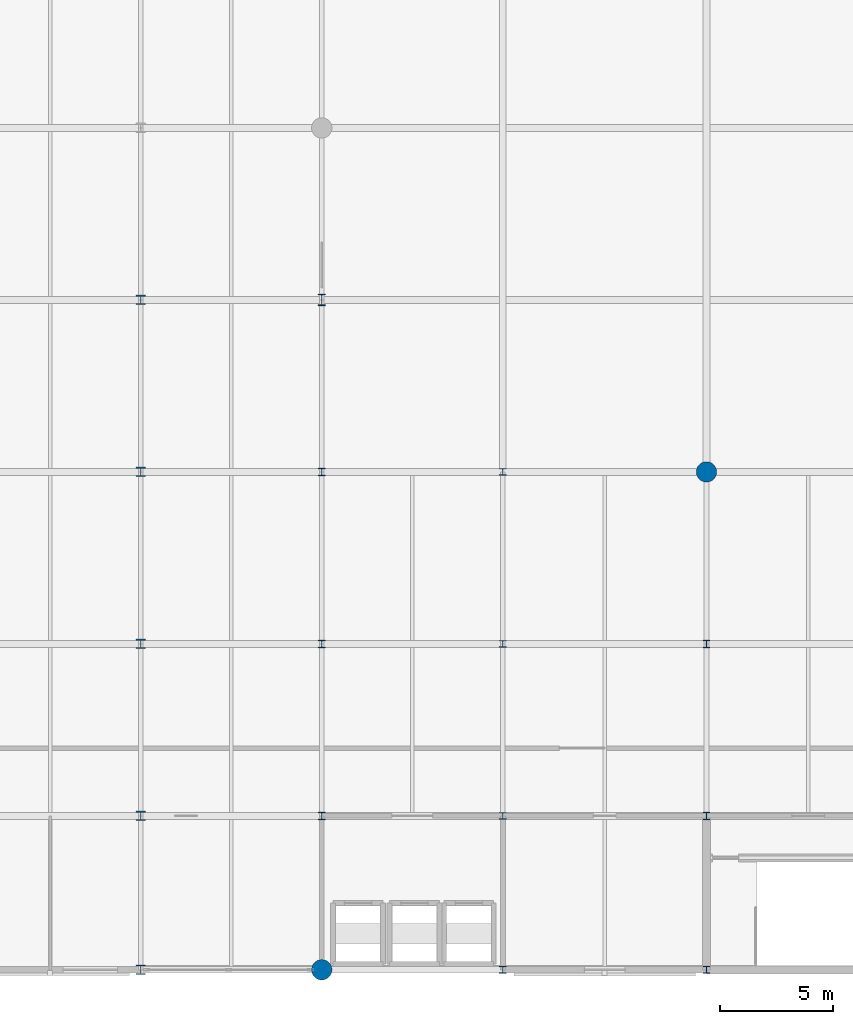
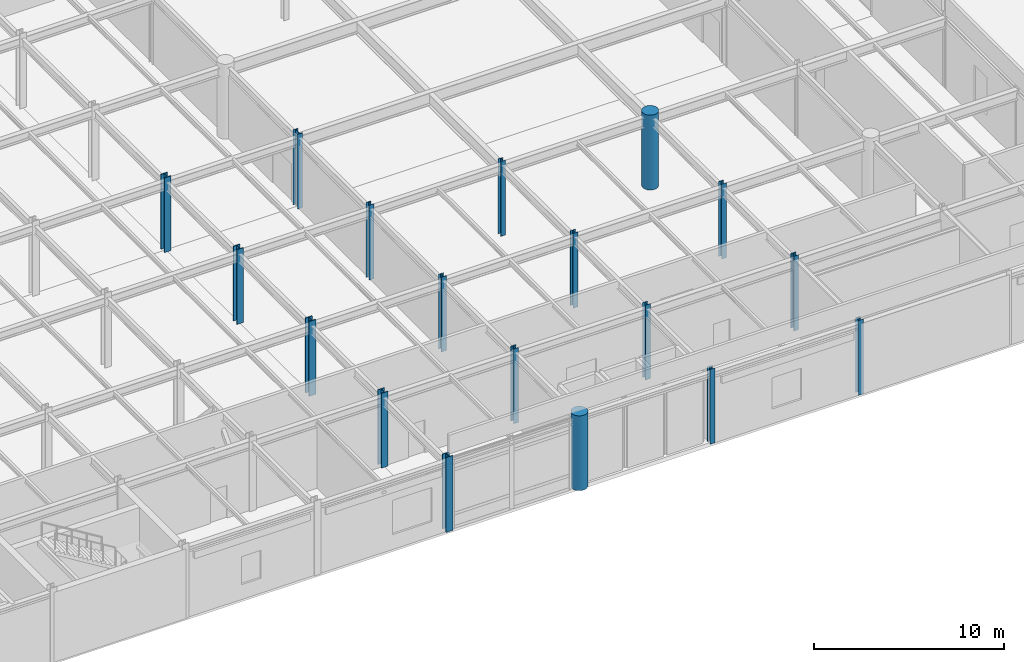
# One storey, part 5 of 43: 18 columns.
"""IFC4 building model written with IfcOpenShell, lengths in metres."""

from ifc_helpers import new_model, si_unit, direction, frame, origin, origin_2d, place, context, subcontext, project, spatial, circle, i_section, extrude, material, material_profile, profile_set, type_object, element, save


model = new_model("IFC4")

# Units and contexts
model_context = context("Model", 3, precision=1e-05, world=origin(), true_north=direction((0.0, 1.0)))
body_context = subcontext(model_context, "Body", "Model", "MODEL_VIEW")
ifc_project = project(units=[si_unit("LENGTHUNIT", "METRE"), si_unit("AREAUNIT", "SQUARE_METRE"), si_unit("VOLUMEUNIT", "CUBIC_METRE"), si_unit("PLANEANGLEUNIT", "RADIAN"), si_unit("MASSUNIT", "GRAM", prefix="KILO")], contexts=[model_context])

# Site, building, storey
site_placement = place(None, origin())
site = spatial("IfcSite", under=ifc_project, at=site_placement, CompositionType="ELEMENT")
building_placement = place(site_placement, origin())
building = spatial("IfcBuilding", under=site, at=building_placement, Name="Shalkamar Park Central Library", CompositionType="ELEMENT")
storey_placement = place(building_placement, frame((0.0, 0.0, 15.60009765625)))
storey = spatial("IfcBuildingStorey", under=building, at=storey_placement, Name="L04", CompositionType="ELEMENT", Elevation=15.60009765625)

# Columns
ifc_material_1 = material(Name="Concrete C40/50", Category="concrete")
ifc_material_profile_1 = material_profile(ifc_material_1, circle(Radius=0.449951171875, at=origin_2d()), Name="RC D900")
ifc_profile_set_1 = profile_set([ifc_material_profile_1], Name="Concrete C40/50")
column_type_1 = type_object("IfcColumnType", Name="Column Concrete RCD900", PredefinedType="COLUMN", material=ifc_profile_set_1)
for number, where, z_axis, x_axis, name in (
    (1, (229.0, 248.39990234375, 0.0), (0.0, 0.0, 1.0), (1.0, 0.0, 0.0), "Column 15/B (L04)"),
    (2, (246.0, 270.39990234375, 0.0), (0.0, 0.0, 1.0), (1.0, 0.0, 0.0), "Column 17/E (L04)"),
):
    element("IfcColumn", number, at=place(storey_placement, frame(where, z_axis=z_axis, x_axis=x_axis)), inside=storey, type_object=column_type_1, Name=name, PredefinedType="COLUMN", context=body_context, shape_type="SweptSolid", body=[
        extrude(circle(Radius=0.449951171875, at=origin_2d()), origin(), (0.0, 0.0, 1.0), 4.7998046875),
    ])
ifc_material_2 = material(Name="Steel S355", Category="steel")
ifc_material_profile_2 = material_profile(ifc_material_2, i_section(OverallWidth=0.406005859375, OverallDepth=0.416015625, WebThickness=0.02978515625, FlangeThickness=0.048095703125, FilletRadius=0.014892578125, at=origin_2d()), Name="HD 400x382")
ifc_profile_set_2 = profile_set([ifc_material_profile_2], Name="Steel S355")
column_type_2 = type_object("IfcColumnType", Name="Column Steel HD400x382", PredefinedType="COLUMN", material=ifc_profile_set_2)
for number, where, z_axis, x_axis, name in (
    (3, (221.0, 248.39990234375, 0.0), (0.0, 0.0, 1.0), (1.0, 0.0, 0.0), "Column 14/B (L04)"),
    (4, (221.0, 255.199951171875, 0.0), (0.0, 0.0, 1.0), (1.0, 0.0, 0.0), "Column 14/C (L04)"),
    (5, (221.0, 262.800048828125, 0.0), (0.0, 0.0, 1.0), (1.0, 0.0, 0.0), "Column 14/D (L04)"),
    (6, (221.0, 270.39990234375, 0.0), (0.0, 0.0, 1.0), (1.0, 0.0, 0.0), "Column 14/E (L04)"),
    (7, (221.0, 278.0, 0.0), (0.0, 0.0, 1.0), (1.0, 0.0, 0.0), "Column 14/F (L04)"),
):
    element("IfcColumn", number, at=place(storey_placement, frame(where, z_axis=z_axis, x_axis=x_axis)), inside=storey, type_object=column_type_2, Name=name, PredefinedType="COLUMN", context=body_context, shape_type="SweptSolid", body=[
        extrude(i_section(OverallWidth=0.406005859375, OverallDepth=0.416015625, WebThickness=0.02978515625, FlangeThickness=0.048095703125, FilletRadius=0.014892578125, at=origin_2d()), origin(), (0.0, 0.0, 1.0), 4.7998046875),
    ])
ifc_material_profile_3 = material_profile(ifc_material_2, i_section(OverallWidth=0.300048828125, OverallDepth=0.300048828125, WebThickness=0.010986328125, FlangeThickness=0.01904296875, FilletRadius=0.027099609375, at=origin_2d()), Name="HEB 300")
ifc_profile_set_3 = profile_set([ifc_material_profile_3], Name="Steel S355")
column_type_3 = type_object("IfcColumnType", Name="Column Steel HEB300", PredefinedType="COLUMN", material=ifc_profile_set_3)
for number, where, z_axis, x_axis, name in (
    (8, (237.0, 248.39990234375, 0.0), (0.0, 0.0, 1.0), (1.0, 0.0, 0.0), "Column 16/B (L04)"),
    (9, (237.0, 255.199951171875, 0.0), (0.0, 0.0, 1.0), (1.0, 0.0, 0.0), "Column 16/C (L04)"),
    (10, (237.0, 262.800048828125, 0.0), (0.0, 0.0, 1.0), (1.0, 0.0, 0.0), "Column 16/D (L04)"),
    (11, (237.0, 270.39990234375, 0.0), (0.0, 0.0, 1.0), (1.0, 0.0, 0.0), "Column 16/E (L04)"),
):
    element("IfcColumn", number, at=place(storey_placement, frame(where, z_axis=z_axis, x_axis=x_axis)), inside=storey, type_object=column_type_3, Name=name, PredefinedType="COLUMN", context=body_context, shape_type="SweptSolid", body=[
        extrude(i_section(OverallWidth=0.300048828125, OverallDepth=0.300048828125, WebThickness=0.010986328125, FlangeThickness=0.01904296875, FilletRadius=0.027099609375, at=origin_2d()), origin(), (0.0, 0.0, 1.0), 4.7998046875),
    ])
ifc_material_profile_4 = material_profile(ifc_material_2, i_section(OverallWidth=0.300048828125, OverallDepth=0.320068359375, WebThickness=0.011474609375, FlangeThickness=0.0205078125, FilletRadius=0.027099609375, at=origin_2d()), Name="HEB 320")
ifc_profile_set_4 = profile_set([ifc_material_profile_4], Name="Steel S355")
column_type_4 = type_object("IfcColumnType", Name="Column Steel HEB320", PredefinedType="COLUMN", material=ifc_profile_set_4)
for number, where, z_axis, x_axis, name in (
    (12, (229.0, 255.199951171875, 0.0), (0.0, 0.0, 1.0), (1.0, 0.0, 0.0), "Column 15/C (L04)"),
    (13, (229.0, 262.800048828125, 0.0), (0.0, 0.0, 1.0), (1.0, 0.0, 0.0), "Column 15/D (L04)"),
    (14, (229.0, 270.39990234375, 0.0), (0.0, 0.0, 1.0), (1.0, 0.0, 0.0), "Column 15/E (L04)"),
    (15, (246.0, 248.39990234375, 0.0), (0.0, 0.0, 1.0), (1.0, 0.0, 0.0), "Column 17/B (L04)"),
    (16, (246.0, 255.199951171875, 0.0), (0.0, 0.0, 1.0), (1.0, 0.0, 0.0), "Column 17/C (L04)"),
    (17, (246.0, 262.800048828125, 0.0), (0.0, 0.0, 1.0), (1.0, 0.0, 0.0), "Column 17/D (L04)"),
):
    element("IfcColumn", number, at=place(storey_placement, frame(where, z_axis=z_axis, x_axis=x_axis)), inside=storey, type_object=column_type_4, Name=name, PredefinedType="COLUMN", context=body_context, shape_type="SweptSolid", body=[
        extrude(i_section(OverallWidth=0.300048828125, OverallDepth=0.320068359375, WebThickness=0.011474609375, FlangeThickness=0.0205078125, FilletRadius=0.027099609375, at=origin_2d()), origin(), (0.0, 0.0, 1.0), 4.7998046875),
    ])
ifc_material_profile_5 = material_profile(ifc_material_2, i_section(OverallWidth=0.300048828125, OverallDepth=0.5, WebThickness=0.014404296875, FlangeThickness=0.028076171875, FilletRadius=0.027099609375, at=origin_2d()), Name="HEB 500")
ifc_profile_set_5 = profile_set([ifc_material_profile_5], Name="Steel S355")
column_type_5 = type_object("IfcColumnType", Name="Column Steel HEB500", PredefinedType="COLUMN", material=ifc_profile_set_5)
column_placement = place(storey_placement, frame((229.0, 278.0, 0.0), z_axis=(0.0, 0.0, 1.0), x_axis=(1.0, 0.0, 0.0)))
element("IfcColumn", 18, at=column_placement, inside=storey, type_object=column_type_5, Name="Column 15/F (L04)", PredefinedType="COLUMN", context=body_context, shape_type="SweptSolid", body=[
    extrude(i_section(OverallWidth=0.300048828125, OverallDepth=0.5, WebThickness=0.014404296875, FlangeThickness=0.028076171875, FilletRadius=0.027099609375, at=origin_2d()), origin(), (0.0, 0.0, 1.0), 4.7998046875),
])

save(model, "model.ifc")
